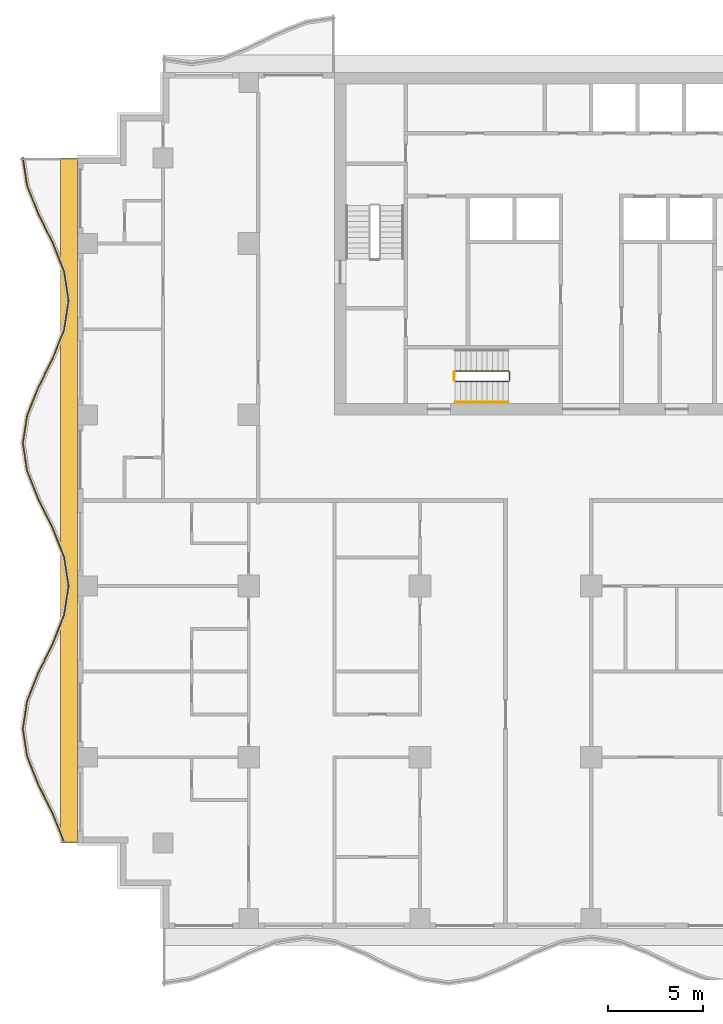
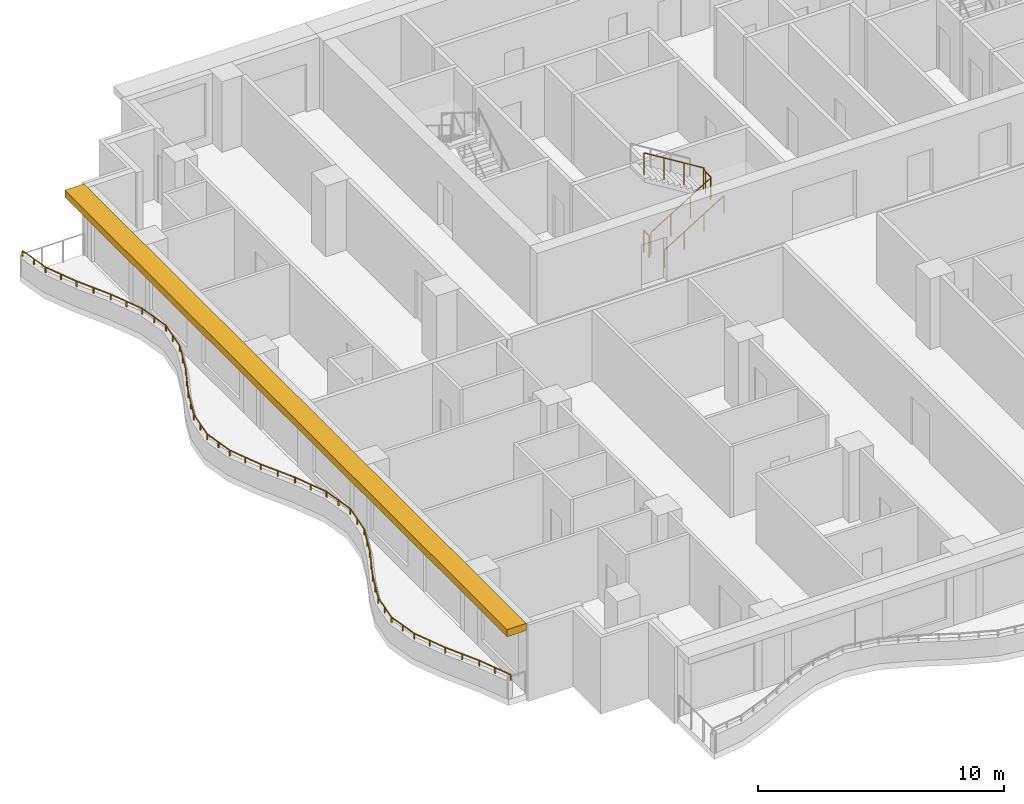
# One storey, part 9 of 11: 4 railings, 1 shading device.
"""IFC4 building model written with IfcOpenShell, lengths in metres."""

import ifcopenshell
import ifcopenshell.guid

model = None  # the IFC model being written
_history = None  # IfcOwnerHistory: only IFC2X3 demands one
_inside = {}  # id of a spatial element -> (the spatial element, [elements in it])
_under = {}  # id of a project, library or spatial element -> (it, [spatial elements below it])
_declared = {}  # id of a project -> (the project, [libraries it declares])
_typed = {}  # id of a type object -> (the type object, [elements of that type])
_made_of = {}  # id of a material, layer set ... -> (it, [elements and type objects made of it])


def new_model(schema):
    """Start an empty IFC model of exactly this schema.

    Asked for "IFC4X3", IfcOpenShell would pick the latest addendum, in which some entities
    have other attributes; the version numbers below select the first issue.
    IFC2X3 requires an IfcOwnerHistory on every rooted entity: one is made here for all.
    """
    global model, _history
    if schema == "IFC4X3":
        model = ifcopenshell.file(schema_version=(4, 3, 0, 0))
    else:
        model = ifcopenshell.file(schema=schema)
    _inside.clear()
    _under.clear()
    _declared.clear()
    _typed.clear()
    _made_of.clear()
    _history = None
    if model.schema == "IFC2X3":
        org = make("IfcOrganization", Name="unknown")
        user = make(
            "IfcPersonAndOrganization",
            ThePerson=make("IfcPerson", FamilyName="unknown"),
            TheOrganization=org,
        )
        app = make(
            "IfcApplication",
            ApplicationDeveloper=org,
            Version="unknown",
            ApplicationFullName="unknown",
            ApplicationIdentifier="unknown",
        )
        _history = make(
            "IfcOwnerHistory",
            OwningUser=user,
            OwningApplication=app,
            ChangeAction="ADDED",
            CreationDate=0,
        )
    return model


def make(cls, **values):
    """One entity of the class cls with the attributes given. An attribute that is None is left unset."""
    return model.create_entity(
        cls, **{name: value for name, value in values.items() if value is not None}
    )


def rooted(cls, **values):
    """An entity with a GlobalId (a new one), such as an element, a storey or a relation."""
    return make(cls, GlobalId=ifcopenshell.guid.new(), OwnerHistory=_history, **values)


def si_unit(unit_type, name, prefix=None):
    """IfcSIUnit, for example si_unit("LENGTHUNIT", "METRE", prefix="MILLI")."""
    return make("IfcSIUnit", UnitType=unit_type, Prefix=prefix, Name=name)


def assignment(units):
    """IfcUnitAssignment: the units of a project."""
    return None if units is None else make("IfcUnitAssignment", Units=units)


def point(xyz):
    """IfcCartesianPoint."""
    return None if xyz is None else make("IfcCartesianPoint", Coordinates=xyz)


def direction(xyz):
    """IfcDirection."""
    return None if xyz is None else make("IfcDirection", DirectionRatios=xyz)


def frame(location, z_axis=None, x_axis=None):
    """IfcAxis2Placement3D, a coordinate frame: its origin and axes. An axis left out is left unset."""
    return make(
        "IfcAxis2Placement3D",
        Location=point(location),
        Axis=direction(z_axis),
        RefDirection=direction(x_axis),
    )


def frame_2d(location, x_axis=None):
    """IfcAxis2Placement2D, a coordinate frame in the plane: its origin and x axis."""
    return make(
        "IfcAxis2Placement2D", Location=point(location), RefDirection=direction(x_axis)
    )


def origin():
    """The frame at (0, 0, 0) with its axes left unset."""
    return frame((0.0, 0.0, 0.0))


def origin_2d():
    """The frame at (0, 0) in the plane with its x axis left unset."""
    return frame_2d((0.0, 0.0))


def place(relative_to, where):
    """IfcLocalPlacement: puts the frame where relative to a parent placement (None: the world)."""
    return make(
        "IfcLocalPlacement", PlacementRelTo=relative_to, RelativePlacement=where
    )


def context(
    kind, dimensions, precision=None, world=None, true_north=None, identifier=None
):
    """IfcGeometricRepresentationContext, for example the 3D "Model" context."""
    return make(
        "IfcGeometricRepresentationContext",
        ContextIdentifier=identifier,
        ContextType=kind,
        CoordinateSpaceDimension=dimensions,
        Precision=precision,
        WorldCoordinateSystem=world,
        TrueNorth=true_north,
    )


def subcontext(parent, identifier, kind, view, scale=None):
    """IfcGeometricRepresentationSubContext, for example "Body" below "Model"."""
    return make(
        "IfcGeometricRepresentationSubContext",
        ContextIdentifier=identifier,
        ContextType=kind,
        ParentContext=parent,
        TargetScale=scale,
        TargetView=view,
    )


def project(units=None, contexts=None):
    """IfcProject with its units and contexts."""
    return rooted(
        "IfcProject",
        Name="project",
        RepresentationContexts=contexts,
        UnitsInContext=assignment(units),
    )


def spatial(cls, under=None, at=None, **own):
    """A site, building, storey or space (cls), placed at a placement, below another one or the project."""
    s = rooted(cls, ObjectPlacement=at, **own)
    if under is not None:
        _under.setdefault(under.id(), (under, []))[1].append(s)
    return s


def polyline(points):
    """IfcPolyline through the points."""
    return make("IfcPolyline", Points=[point(p) for p in points])


def profile(cls, at=None, kind="AREA", **sizes):
    """A parametric profile (cls). Its sizes go by their IFC names, for example OverallWidth=200.0."""
    return make(cls, ProfileType=kind, Position=at, **sizes)


def rectangle(**sizes):
    """IfcRectangleProfileDef."""
    return profile("IfcRectangleProfileDef", **sizes)


def circle(**sizes):
    """IfcCircleProfileDef."""
    return profile("IfcCircleProfileDef", **sizes)


def outline(outer, holes=None, kind="AREA"):
    """IfcArbitraryClosedProfileDef: a profile drawn as a closed curve; with holes, ...WithVoids."""
    if holes is None:
        return make("IfcArbitraryClosedProfileDef", ProfileType=kind, OuterCurve=outer)
    return make(
        "IfcArbitraryProfileDefWithVoids",
        ProfileType=kind,
        OuterCurve=outer,
        InnerCurves=holes,
    )


def extrude(swept, where, along, depth):
    """IfcExtrudedAreaSolid: the profile swept, set in the frame where, extruded along a direction by depth."""
    return make(
        "IfcExtrudedAreaSolid",
        SweptArea=swept,
        Position=where,
        ExtrudedDirection=direction(along),
        Depth=depth,
    )


def shape(context_of_items, identifier, shape_type, items):
    """IfcShapeRepresentation: the items that make up one representation, for example the "Body"."""
    return make(
        "IfcShapeRepresentation",
        ContextOfItems=context_of_items,
        RepresentationIdentifier=identifier,
        RepresentationType=shape_type,
        Items=items,
    )


def material(Name=None, Category=None):
    """IfcMaterial."""
    return make("IfcMaterial", Name=Name, Category=Category)


def layer(
    of_material, thickness, ventilated=None, Name=None, Category=None, Priority=None
):
    """IfcMaterialLayer: one layer of a wall or slab, of a material (None: an air gap)."""
    return make(
        "IfcMaterialLayer",
        Material=of_material,
        LayerThickness=thickness,
        IsVentilated=ventilated,
        Name=Name,
        Category=Category,
        Priority=Priority,
    )


def layer_set(layers, Name=None):
    """IfcMaterialLayerSet."""
    return make("IfcMaterialLayerSet", MaterialLayers=layers, LayerSetName=Name)


def made_of(thing, what):
    """Note that an element or type object is made of a material, layer set ...; save() writes the relation."""
    if what is not None:
        _made_of.setdefault(what.id(), (what, []))[1].append(thing)
    return thing


def type_object(cls, material=None, **own):
    """A type object (cls), such as IfcWallType, which elements share."""
    return made_of(rooted(cls, **own), material)


def element(
    cls,
    number,
    at=None,
    inside=None,
    cuts=None,
    type_object=None,
    material=None,
    context=None,
    identifier="Body",
    shape_type=None,
    held_by="IfcProductDefinitionShape",
    body=None,
    shapes=None,
    **own,
):
    """One element of the class cls, such as IfcWall. Its Tag is "e" and its number.

    at: its placement. inside: the storey or other place that contains it. cuts: it is an
    opening in that element (IfcRelVoidsElement). A single representation is given by context,
    identifier, shape_type and body (its items); several are given by shapes. held_by: the class
    of the entity that holds the representations. save() writes the other relations.
    """
    e = rooted(cls, Tag="e%d" % number, ObjectPlacement=at, **own)
    if body is not None:
        shapes = [shape(context, identifier, shape_type, body)]
    if shapes is not None:
        e.Representation = make(held_by, Representations=shapes)
    if inside is not None:
        _inside.setdefault(inside.id(), (inside, []))[1].append(e)
    if cuts is not None:
        rooted(
            "IfcRelVoidsElement", RelatingBuildingElement=cuts, RelatedOpeningElement=e
        )
    if type_object is not None:
        _typed.setdefault(type_object.id(), (type_object, []))[1].append(e)
    return made_of(e, material)


def aggregate(whole, parts):
    """IfcRelAggregates: a whole, such as a stair, and the parts it consists of."""
    return rooted("IfcRelAggregates", RelatingObject=whole, RelatedObjects=parts)


def save(model, path):
    """Write the relations noted so far, then the file.

    IfcRelAggregates (storeys below a building ...), IfcRelContainedInSpatialStructure (elements
    in a storey), IfcRelDefinesByType, IfcRelAssociatesMaterial and IfcRelDeclares: one each for
    every whole, place, type object, material and project.
    """
    for whole, parts in _under.values():
        aggregate(whole, parts)
    for where, things in _inside.values():
        rooted(
            "IfcRelContainedInSpatialStructure",
            RelatedElements=things,
            RelatingStructure=where,
        )
    for kind, things in _typed.values():
        rooted("IfcRelDefinesByType", RelatedObjects=things, RelatingType=kind)
    for what, things in _made_of.values():
        rooted("IfcRelAssociatesMaterial", RelatedObjects=things, RelatingMaterial=what)
    for by, libraries in _declared.values():
        rooted("IfcRelDeclares", RelatingContext=by, RelatedDefinitions=libraries)
    model.write(path)


model = new_model("IFC4")

# Units and contexts
model_context = context("Model", 3, precision=1e-05, world=origin(), true_north=direction((0.0, 1.0)))
body_context = subcontext(model_context, "Body", "Model", "MODEL_VIEW")
ifc_project = project(units=[si_unit("LENGTHUNIT", "METRE"), si_unit("AREAUNIT", "SQUARE_METRE"), si_unit("VOLUMEUNIT", "CUBIC_METRE"), si_unit("PLANEANGLEUNIT", "RADIAN"), si_unit("MASSUNIT", "GRAM", prefix="KILO")], contexts=[model_context])

# Site, building, storey
site_placement = place(None, origin())
site = spatial("IfcSite", under=ifc_project, at=site_placement, CompositionType="ELEMENT")
building_placement = place(site_placement, origin())
building = spatial("IfcBuilding", under=site, at=building_placement, Name="Orbiselva Terraces", CompositionType="ELEMENT")
storey_placement = place(building_placement, frame((0.0, 0.0, 188.2)))
storey = spatial("IfcBuildingStorey", under=building, at=storey_placement, Name="L47", CompositionType="ELEMENT", Elevation=188.2)

# Railings
ifc_material_1 = material(Name="Stainless steel", Category="steel")
railing_type_1 = type_object("IfcRailingType", Name="CORE-GUARD-1100", PredefinedType="GUARDRAIL", material=ifc_material_1)
railing_1_placement = place(storey_placement, frame((-7.15, 6.25, 0.172727)))
element("IfcRailing", 1, at=railing_1_placement, inside=storey, type_object=railing_type_1, Name="L47 S3 stair guard 1", PredefinedType="GUARDRAIL", context=body_context, shape_type="SweptSolid", body=[
    extrude(circle(Radius=0.024, at=origin_2d()), frame((0.0, 0.0, 1.081), z_axis=(0.851088519012, 0.0, 0.52502222125), x_axis=(0.0, 1.0, 0.0)), (0.0, 0.0, 1.0), 3.289905),
    extrude(circle(Radius=0.024, at=origin_2d()), frame((2.8, 0.0, 2.808273), z_axis=(0.707106781187, 0.707106781187, 0.0), x_axis=(-0.707106781187, 0.707106781187, 0.0)), (0.0, 0.0, 1.0), 0.070711),
    extrude(circle(Radius=0.024, at=origin_2d()), frame((2.85, 0.05, 2.808273), z_axis=(0.0, 1.0, 0.0), x_axis=(-1.0, 0.0, 0.0)), (0.0, 0.0, 1.0), 0.45),
    extrude(circle(Radius=0.024, at=origin_2d()), frame((2.85, 0.5, 2.808273), z_axis=(-0.267894925557, 0.267894925557, 0.925453736133), x_axis=(-0.707106781187, -0.707106781187, 0.0)), (0.0, 0.0, 1.0), 0.18664),
    extrude(circle(Radius=0.024, at=origin_2d()), frame((2.8, 0.55, 2.981), z_axis=(-0.851088519012, 0.0, 0.52502222125), x_axis=(0.0, -1.0, 0.0)), (0.0, 0.0, 1.0), 3.289905),
    extrude(circle(Radius=0.021, at=origin_2d()), origin(), (0.0, 0.0, 1.0), 1.057),
    extrude(circle(Radius=0.021, at=origin_2d()), frame((0.933333, 0.0, 0.575758)), (0.0, 0.0, 1.0), 1.057),
    extrude(circle(Radius=0.021, at=origin_2d()), frame((1.866667, 0.0, 1.151515)), (0.0, 0.0, 1.0), 1.057),
    extrude(circle(Radius=0.021, at=origin_2d()), frame((2.8, 0.0, 1.727273)), (0.0, 0.0, 1.0), 1.057),
    extrude(circle(Radius=0.021, at=origin_2d()), frame((2.85, 0.05, 1.727273)), (0.0, 0.0, 1.0), 1.057),
    extrude(circle(Radius=0.021, at=origin_2d()), frame((2.85, 0.5, 1.727273)), (0.0, 0.0, 1.0), 1.057),
    extrude(circle(Radius=0.021, at=origin_2d()), frame((2.8, 0.55, 1.9)), (0.0, 0.0, 1.0), 1.057),
    extrude(circle(Radius=0.021, at=origin_2d()), frame((1.866667, 0.55, 2.475758)), (0.0, 0.0, 1.0), 1.057),
    extrude(circle(Radius=0.021, at=origin_2d()), frame((0.933333, 0.55, 3.051515)), (0.0, 0.0, 1.0), 1.057),
    extrude(circle(Radius=0.021, at=origin_2d()), frame((0.0, 0.55, 3.627273)), (0.0, 0.0, 1.0), 1.057),
])
railing_2_placement = place(storey_placement, frame((-7.2, 6.3, 0.0)))
element("IfcRailing", 2, at=railing_2_placement, inside=storey, type_object=railing_type_1, Name="L47 S3 stair guard 2", PredefinedType="GUARDRAIL", context=body_context, shape_type="SweptSolid", body=[
    extrude(circle(Radius=0.024, at=origin_2d()), frame((0.0, 0.0, 1.081), z_axis=(0.0, 1.0, 0.0), x_axis=(-1.0, 0.0, 0.0)), (0.0, 0.0, 1.0), 0.45),
    extrude(circle(Radius=0.021, at=origin_2d()), origin(), (0.0, 0.0, 1.0), 1.057),
    extrude(circle(Radius=0.021, at=origin_2d()), frame((0.0, 0.45, 0.0)), (0.0, 0.0, 1.0), 1.057),
])
railing_type_2 = type_object("IfcRailingType", Name="CORE-HANDRAIL-900", PredefinedType="HANDRAIL", material=ifc_material_1)
railing_3_placement = place(storey_placement, frame((-7.15, 5.15, 0.172727)))
element("IfcRailing", 3, at=railing_3_placement, inside=storey, type_object=railing_type_2, Name="L47 S3 stair handrail 1", PredefinedType="HANDRAIL", context=body_context, shape_type="SweptSolid", body=[
    extrude(circle(Radius=0.024, at=origin_2d()), frame((0.0, 0.0, 0.876), z_axis=(0.851088519012, 0.0, 0.52502222125), x_axis=(0.0, 1.0, 0.0)), (0.0, 0.0, 1.0), 3.289905),
    extrude(circle(Radius=0.021, at=origin_2d()), origin(), (0.0, 0.0, 1.0), 0.852),
    extrude(circle(Radius=0.021, at=origin_2d()), frame((0.933333, 0.0, 0.575758)), (0.0, 0.0, 1.0), 0.852),
    extrude(circle(Radius=0.021, at=origin_2d()), frame((1.866667, 0.0, 1.151515)), (0.0, 0.0, 1.0), 0.852),
    extrude(circle(Radius=0.021, at=origin_2d()), frame((2.8, 0.0, 1.727273)), (0.0, 0.0, 1.0), 0.852),
])
ifc_material_2 = material(Name="Bonded two-ply safety glass balustrade, stainless steel posts", Category="steel")
railing_type_3 = type_object("IfcRailingType", Name="ENV-BALUSTRADE-1200", PredefinedType="BALUSTRADE", material=ifc_material_2)
railing_4_placement = place(storey_placement, frame((-29.876434, 18.018879, 0.9)))
element("IfcRailing", 4, at=railing_4_placement, inside=storey, type_object=railing_type_3, Name="Balcony balustrade L47 W", PredefinedType="BALUSTRADE", context=body_context, shape_type="SweptSolid", body=[
    extrude(outline(polyline([(0.028868, 0.0), (0.014434, 0.025), (-0.014434, 0.025), (-0.028868, 0.0), (-0.014434, -0.025), (0.014434, -0.025), (0.028868, 0.0)])), frame((0.0, 0.0, 0.275), z_axis=(0.151034103443, -0.988528552748, 0.0), x_axis=(0.988528552748, 0.151034103443, 0.0)), (0.0, 0.0, 1.0), 1.503038),
    extrude(outline(polyline([(0.028868, 0.0), (0.014434, 0.025), (-0.014434, 0.025), (-0.028868, 0.0), (-0.014434, -0.025), (0.014434, -0.025), (0.028868, 0.0)])), frame((0.22701, -1.485796, 0.275), z_axis=(0.371391000387, -0.928476561272, 0.0), x_axis=(0.928476561272, 0.371391000387, 0.0)), (0.0, 0.0, 1.0), 1.596261),
    extrude(outline(polyline([(0.028868, 0.0), (0.014434, 0.025), (-0.014434, 0.025), (-0.028868, 0.0), (-0.014434, -0.025), (0.014434, -0.025), (0.028868, 0.0)])), frame((0.819847, -2.967887, 0.275), z_axis=(0.443212307306, -0.896416672454, 0.0), x_axis=(0.896416672454, 0.443212307306, 0.0)), (0.0, 0.0, 1.0), 1.673329),
    extrude(outline(polyline([(0.028868, 0.0), (0.014434, 0.025), (-0.014434, 0.025), (-0.028868, 0.0), (-0.014434, -0.025), (0.014434, -0.025), (0.028868, 0.0)])), frame((1.561487, -4.467887, 0.275), z_axis=(0.371390359967, -0.92847681744, 0.0), x_axis=(0.92847681744, 0.371390359967, 0.0)), (0.0, 0.0, 1.0), 1.634838),
    extrude(outline(polyline([(0.028868, 0.0), (0.014434, 0.025), (-0.014434, 0.025), (-0.028868, 0.0), (-0.014434, -0.025), (0.014434, -0.025), (0.028868, 0.0)])), frame((2.16865, -5.985796, 0.275), z_axis=(0.151034211256, -0.988528536275, 0.0), x_axis=(0.988528536275, 0.151034211256, 0.0)), (0.0, 0.0, 1.0), 1.550874),
    extrude(outline(polyline([(0.028868, 0.0), (0.014434, 0.025), (-0.014434, 0.025), (-0.028868, 0.0), (-0.014434, -0.025), (0.014434, -0.025), (0.028868, 0.0)])), frame((2.402885, -7.518879, 0.275), z_axis=(-0.151034211256, -0.988528536275, 0.0), x_axis=(0.988528536275, -0.151034211256, 0.0)), (0.0, 0.0, 1.0), 1.550874),
    extrude(outline(polyline([(0.028868, 0.0), (0.014434, 0.025), (-0.014434, 0.025), (-0.028868, 0.0), (-0.014434, -0.025), (0.014434, -0.025), (0.028868, 0.0)])), frame((2.16865, -9.051962, 0.275), z_axis=(-0.371390359967, -0.92847681744, 0.0), x_axis=(0.92847681744, -0.371390359967, 0.0)), (0.0, 0.0, 1.0), 1.634838),
    extrude(outline(polyline([(0.028868, 0.0), (0.014434, 0.025), (-0.014434, 0.025), (-0.028868, 0.0), (-0.014434, -0.025), (0.014434, -0.025), (0.028868, 0.0)])), frame((1.561487, -10.569871, 0.275), z_axis=(-0.443212307306, -0.896416672454, 0.0), x_axis=(0.896416672454, -0.443212307306, 0.0)), (0.0, 0.0, 1.0), 1.673329),
    extrude(outline(polyline([(0.028868, 0.0), (0.014434, 0.025), (-0.014434, 0.025), (-0.028868, 0.0), (-0.014434, -0.025), (0.014434, -0.025), (0.028868, 0.0)])), frame((0.819847, -12.069871, 0.275), z_axis=(-0.371391000387, -0.928476561272, 0.0), x_axis=(0.928476561272, -0.371391000387, 0.0)), (0.0, 0.0, 1.0), 1.596261),
    extrude(outline(polyline([(0.028868, 0.0), (0.014434, 0.025), (-0.014434, 0.025), (-0.028868, 0.0), (-0.014434, -0.025), (0.014434, -0.025), (0.028868, 0.0)])), frame((0.22701, -13.551962, 0.275), z_axis=(-0.151033749027, -0.988528606898, 0.0), x_axis=(0.988528606898, -0.151033749027, 0.0)), (0.0, 0.0, 1.0), 1.48394),
    extrude(outline(polyline([(0.028868, 0.0), (0.014434, 0.025), (-0.014434, 0.025), (-0.028868, 0.0), (-0.014434, -0.025), (0.014434, -0.025), (0.028868, 0.0)])), frame((0.002885, -15.018879, 0.275), z_axis=(0.151033749027, -0.988528606898, 0.0), x_axis=(0.988528606898, 0.151033749027, 0.0)), (0.0, 0.0, 1.0), 1.48394),
    extrude(outline(polyline([(0.028868, 0.0), (0.014434, 0.025), (-0.014434, 0.025), (-0.028868, 0.0), (-0.014434, -0.025), (0.014434, -0.025), (0.028868, 0.0)])), frame((0.22701, -16.485796, 0.275), z_axis=(0.371391000387, -0.928476561272, 0.0), x_axis=(0.928476561272, 0.371391000387, 0.0)), (0.0, 0.0, 1.0), 1.596261),
    extrude(outline(polyline([(0.028868, 0.0), (0.014434, 0.025), (-0.014434, 0.025), (-0.028868, 0.0), (-0.014434, -0.025), (0.014434, -0.025), (0.028868, 0.0)])), frame((0.819847, -17.967887, 0.275), z_axis=(0.443212307306, -0.896416672454, 0.0), x_axis=(0.896416672454, 0.443212307306, 0.0)), (0.0, 0.0, 1.0), 1.673329),
    extrude(outline(polyline([(0.028868, 0.0), (0.014434, 0.025), (-0.014434, 0.025), (-0.028868, 0.0), (-0.014434, -0.025), (0.014434, -0.025), (0.028868, 0.0)])), frame((1.561487, -19.467887, 0.275), z_axis=(0.371390359967, -0.92847681744, 0.0), x_axis=(0.92847681744, 0.371390359967, 0.0)), (0.0, 0.0, 1.0), 1.634838),
    extrude(outline(polyline([(0.028868, 0.0), (0.014434, 0.025), (-0.014434, 0.025), (-0.028868, 0.0), (-0.014434, -0.025), (0.014434, -0.025), (0.028868, 0.0)])), frame((2.16865, -20.985796, 0.275), z_axis=(0.151034211256, -0.988528536275, 0.0), x_axis=(0.988528536275, 0.151034211256, 0.0)), (0.0, 0.0, 1.0), 1.550874),
    extrude(outline(polyline([(0.028868, 0.0), (0.014434, 0.025), (-0.014434, 0.025), (-0.028868, 0.0), (-0.014434, -0.025), (0.014434, -0.025), (0.028868, 0.0)])), frame((2.402885, -22.518879, 0.275), z_axis=(-0.151034211256, -0.988528536275, 0.0), x_axis=(0.988528536275, -0.151034211256, 0.0)), (0.0, 0.0, 1.0), 1.550874),
    extrude(outline(polyline([(0.028868, 0.0), (0.014434, 0.025), (-0.014434, 0.025), (-0.028868, 0.0), (-0.014434, -0.025), (0.014434, -0.025), (0.028868, 0.0)])), frame((2.16865, -24.051962, 0.275), z_axis=(-0.371390359967, -0.92847681744, 0.0), x_axis=(0.92847681744, -0.371390359967, 0.0)), (0.0, 0.0, 1.0), 1.634838),
    extrude(outline(polyline([(0.028868, 0.0), (0.014434, 0.025), (-0.014434, 0.025), (-0.028868, 0.0), (-0.014434, -0.025), (0.014434, -0.025), (0.028868, 0.0)])), frame((1.561487, -25.569871, 0.275), z_axis=(-0.443212307306, -0.896416672454, 0.0), x_axis=(0.896416672454, -0.443212307306, 0.0)), (0.0, 0.0, 1.0), 1.673329),
    extrude(outline(polyline([(0.028868, 0.0), (0.014434, 0.025), (-0.014434, 0.025), (-0.028868, 0.0), (-0.014434, -0.025), (0.014434, -0.025), (0.028868, 0.0)])), frame((0.819847, -27.069871, 0.275), z_axis=(-0.371391000387, -0.928476561272, 0.0), x_axis=(0.928476561272, -0.371391000387, 0.0)), (0.0, 0.0, 1.0), 1.596261),
    extrude(outline(polyline([(0.028868, 0.0), (0.014434, 0.025), (-0.014434, 0.025), (-0.028868, 0.0), (-0.014434, -0.025), (0.014434, -0.025), (0.028868, 0.0)])), frame((0.22701, -28.551962, 0.275), z_axis=(-0.151033749027, -0.988528606898, 0.0), x_axis=(0.988528606898, -0.151033749027, 0.0)), (0.0, 0.0, 1.0), 1.48394),
    extrude(outline(polyline([(0.028868, 0.0), (0.014434, 0.025), (-0.014434, 0.025), (-0.028868, 0.0), (-0.014434, -0.025), (0.014434, -0.025), (0.028868, 0.0)])), frame((0.002885, -30.018879, 0.275), z_axis=(0.151033749027, -0.988528606898, 0.0), x_axis=(0.988528606898, 0.151033749027, 0.0)), (0.0, 0.0, 1.0), 1.48394),
    extrude(outline(polyline([(0.028868, 0.0), (0.014434, 0.025), (-0.014434, 0.025), (-0.028868, 0.0), (-0.014434, -0.025), (0.014434, -0.025), (0.028868, 0.0)])), frame((0.22701, -31.485796, 0.275), z_axis=(0.371391000387, -0.928476561272, 0.0), x_axis=(0.928476561272, 0.371391000387, 0.0)), (0.0, 0.0, 1.0), 1.596261),
    extrude(outline(polyline([(0.028868, 0.0), (0.014434, 0.025), (-0.014434, 0.025), (-0.028868, 0.0), (-0.014434, -0.025), (0.014434, -0.025), (0.028868, 0.0)])), frame((0.819847, -32.967887, 0.275), z_axis=(0.443212307306, -0.896416672454, 0.0), x_axis=(0.896416672454, 0.443212307306, 0.0)), (0.0, 0.0, 1.0), 1.673329),
    extrude(outline(polyline([(0.028868, 0.0), (0.014434, 0.025), (-0.014434, 0.025), (-0.028868, 0.0), (-0.014434, -0.025), (0.014434, -0.025), (0.028868, 0.0)])), frame((1.561487, -34.467887, 0.275), z_axis=(0.371390569957, -0.928476733444, 0.0), x_axis=(0.928476733444, 0.371390569957, 0.0)), (0.0, 0.0, 1.0), 1.620469),
    extrude(rectangle(XDim=0.05, YDim=0.05, at=origin_2d()), origin(), (0.0, 0.0, 1.0), 0.25),
    extrude(rectangle(XDim=0.05, YDim=0.05, at=origin_2d()), frame((0.113505, -0.742898, 0.0)), (0.0, 0.0, 1.0), 0.25),
    extrude(rectangle(XDim=0.05, YDim=0.05, at=origin_2d()), frame((0.22701, -1.485796, 0.0)), (0.0, 0.0, 1.0), 0.25),
    extrude(rectangle(XDim=0.05, YDim=0.05, at=origin_2d()), frame((0.523428, -2.226841, 0.0)), (0.0, 0.0, 1.0), 0.25),
    extrude(rectangle(XDim=0.05, YDim=0.05, at=origin_2d()), frame((0.819847, -2.967887, 0.0)), (0.0, 0.0, 1.0), 0.25),
    extrude(rectangle(XDim=0.05, YDim=0.05, at=origin_2d()), frame((1.190667, -3.717887, 0.0)), (0.0, 0.0, 1.0), 0.25),
    extrude(rectangle(XDim=0.05, YDim=0.05, at=origin_2d()), frame((1.561487, -4.467887, 0.0)), (0.0, 0.0, 1.0), 0.25),
    extrude(rectangle(XDim=0.05, YDim=0.05, at=origin_2d()), frame((1.865068, -5.226841, 0.0)), (0.0, 0.0, 1.0), 0.25),
    extrude(rectangle(XDim=0.05, YDim=0.05, at=origin_2d()), frame((2.16865, -5.985796, 0.0)), (0.0, 0.0, 1.0), 0.25),
    extrude(rectangle(XDim=0.05, YDim=0.05, at=origin_2d()), frame((2.285768, -6.752337, 0.0)), (0.0, 0.0, 1.0), 0.25),
    extrude(rectangle(XDim=0.05, YDim=0.05, at=origin_2d()), frame((2.402885, -7.518879, 0.0)), (0.0, 0.0, 1.0), 0.25),
    extrude(rectangle(XDim=0.05, YDim=0.05, at=origin_2d()), frame((2.285768, -8.28542, 0.0)), (0.0, 0.0, 1.0), 0.25),
    extrude(rectangle(XDim=0.05, YDim=0.05, at=origin_2d()), frame((2.16865, -9.051962, 0.0)), (0.0, 0.0, 1.0), 0.25),
    extrude(rectangle(XDim=0.05, YDim=0.05, at=origin_2d()), frame((1.865068, -9.810916, 0.0)), (0.0, 0.0, 1.0), 0.25),
    extrude(rectangle(XDim=0.05, YDim=0.05, at=origin_2d()), frame((1.561487, -10.569871, 0.0)), (0.0, 0.0, 1.0), 0.25),
    extrude(rectangle(XDim=0.05, YDim=0.05, at=origin_2d()), frame((1.190667, -11.319871, 0.0)), (0.0, 0.0, 1.0), 0.25),
    extrude(rectangle(XDim=0.05, YDim=0.05, at=origin_2d()), frame((0.819847, -12.069871, 0.0)), (0.0, 0.0, 1.0), 0.25),
    extrude(rectangle(XDim=0.05, YDim=0.05, at=origin_2d()), frame((0.523428, -12.810916, 0.0)), (0.0, 0.0, 1.0), 0.25),
    extrude(rectangle(XDim=0.05, YDim=0.05, at=origin_2d()), frame((0.22701, -13.551962, 0.0)), (0.0, 0.0, 1.0), 0.25),
    extrude(rectangle(XDim=0.05, YDim=0.05, at=origin_2d()), frame((0.114947, -14.28542, 0.0)), (0.0, 0.0, 1.0), 0.25),
    extrude(rectangle(XDim=0.05, YDim=0.05, at=origin_2d()), frame((0.002885, -15.018879, 0.0)), (0.0, 0.0, 1.0), 0.25),
    extrude(rectangle(XDim=0.05, YDim=0.05, at=origin_2d()), frame((0.114947, -15.752337, 0.0)), (0.0, 0.0, 1.0), 0.25),
    extrude(rectangle(XDim=0.05, YDim=0.05, at=origin_2d()), frame((0.22701, -16.485796, 0.0)), (0.0, 0.0, 1.0), 0.25),
    extrude(rectangle(XDim=0.05, YDim=0.05, at=origin_2d()), frame((0.523428, -17.226842, 0.0)), (0.0, 0.0, 1.0), 0.25),
    extrude(rectangle(XDim=0.05, YDim=0.05, at=origin_2d()), frame((0.819847, -17.967887, 0.0)), (0.0, 0.0, 1.0), 0.25),
    extrude(rectangle(XDim=0.05, YDim=0.05, at=origin_2d()), frame((1.190667, -18.717887, 0.0)), (0.0, 0.0, 1.0), 0.25),
    extrude(rectangle(XDim=0.05, YDim=0.05, at=origin_2d()), frame((1.561487, -19.467887, 0.0)), (0.0, 0.0, 1.0), 0.25),
    extrude(rectangle(XDim=0.05, YDim=0.05, at=origin_2d()), frame((1.865068, -20.226842, 0.0)), (0.0, 0.0, 1.0), 0.25),
    extrude(rectangle(XDim=0.05, YDim=0.05, at=origin_2d()), frame((2.16865, -20.985796, 0.0)), (0.0, 0.0, 1.0), 0.25),
    extrude(rectangle(XDim=0.05, YDim=0.05, at=origin_2d()), frame((2.285768, -21.752337, 0.0)), (0.0, 0.0, 1.0), 0.25),
    extrude(rectangle(XDim=0.05, YDim=0.05, at=origin_2d()), frame((2.402885, -22.518879, 0.0)), (0.0, 0.0, 1.0), 0.25),
    extrude(rectangle(XDim=0.05, YDim=0.05, at=origin_2d()), frame((2.285768, -23.28542, 0.0)), (0.0, 0.0, 1.0), 0.25),
    extrude(rectangle(XDim=0.05, YDim=0.05, at=origin_2d()), frame((2.16865, -24.051962, 0.0)), (0.0, 0.0, 1.0), 0.25),
    extrude(rectangle(XDim=0.05, YDim=0.05, at=origin_2d()), frame((1.865068, -24.810916, 0.0)), (0.0, 0.0, 1.0), 0.25),
    extrude(rectangle(XDim=0.05, YDim=0.05, at=origin_2d()), frame((1.561487, -25.569871, 0.0)), (0.0, 0.0, 1.0), 0.25),
    extrude(rectangle(XDim=0.05, YDim=0.05, at=origin_2d()), frame((1.190667, -26.319871, 0.0)), (0.0, 0.0, 1.0), 0.25),
    extrude(rectangle(XDim=0.05, YDim=0.05, at=origin_2d()), frame((0.819847, -27.069871, 0.0)), (0.0, 0.0, 1.0), 0.25),
    extrude(rectangle(XDim=0.05, YDim=0.05, at=origin_2d()), frame((0.523428, -27.810916, 0.0)), (0.0, 0.0, 1.0), 0.25),
    extrude(rectangle(XDim=0.05, YDim=0.05, at=origin_2d()), frame((0.22701, -28.551962, 0.0)), (0.0, 0.0, 1.0), 0.25),
    extrude(rectangle(XDim=0.05, YDim=0.05, at=origin_2d()), frame((0.114947, -29.28542, 0.0)), (0.0, 0.0, 1.0), 0.25),
    extrude(rectangle(XDim=0.05, YDim=0.05, at=origin_2d()), frame((0.002885, -30.018879, 0.0)), (0.0, 0.0, 1.0), 0.25),
    extrude(rectangle(XDim=0.05, YDim=0.05, at=origin_2d()), frame((0.114947, -30.752338, 0.0)), (0.0, 0.0, 1.0), 0.25),
    extrude(rectangle(XDim=0.05, YDim=0.05, at=origin_2d()), frame((0.22701, -31.485796, 0.0)), (0.0, 0.0, 1.0), 0.25),
    extrude(rectangle(XDim=0.05, YDim=0.05, at=origin_2d()), frame((0.523428, -32.226842, 0.0)), (0.0, 0.0, 1.0), 0.25),
    extrude(rectangle(XDim=0.05, YDim=0.05, at=origin_2d()), frame((0.819847, -32.967887, 0.0)), (0.0, 0.0, 1.0), 0.25),
    extrude(rectangle(XDim=0.05, YDim=0.05, at=origin_2d()), frame((1.190667, -33.717887, 0.0)), (0.0, 0.0, 1.0), 0.25),
    extrude(rectangle(XDim=0.05, YDim=0.05, at=origin_2d()), frame((1.561487, -34.467887, 0.0)), (0.0, 0.0, 1.0), 0.25),
    extrude(rectangle(XDim=0.05, YDim=0.05, at=origin_2d()), frame((1.8624, -35.220171, 0.0)), (0.0, 0.0, 1.0), 0.25),
    extrude(rectangle(XDim=0.05, YDim=0.05, at=origin_2d()), frame((2.163314, -35.972455, 0.0)), (0.0, 0.0, 1.0), 0.25),
])

# Shading device
ifc_material_3 = material(Name="Terracotta baguette sunshade", Category="masonry")
ifc_layer = layer(ifc_material_3, 0.35)
ifc_layer_set = layer_set([ifc_layer], Name="Terracotta baguette sunshade")
shading_device_type = type_object("IfcShadingDeviceType", Name="ENV-SUNSHADE-900x350", PredefinedType="USERDEFINED", material=ifc_layer_set)
shading_device_placement = place(storey_placement, frame((0.0, 0.0, 3.15)))
element("IfcShadingDevice", 5, at=shading_device_placement, inside=storey, type_object=shading_device_type, Name="Sunshade band L47 W", ObjectType="SUNSHADE", PredefinedType="USERDEFINED", context=body_context, shape_type="SweptSolid", body=[
    extrude(outline(polyline([(-27.9, 18.0), (-27.9, -18.0), (-27.0, -18.0), (-27.0, 18.0), (-27.9, 18.0)])), origin(), (0.0, 0.0, 1.0), 0.35),
])

save(model, "model.ifc")
